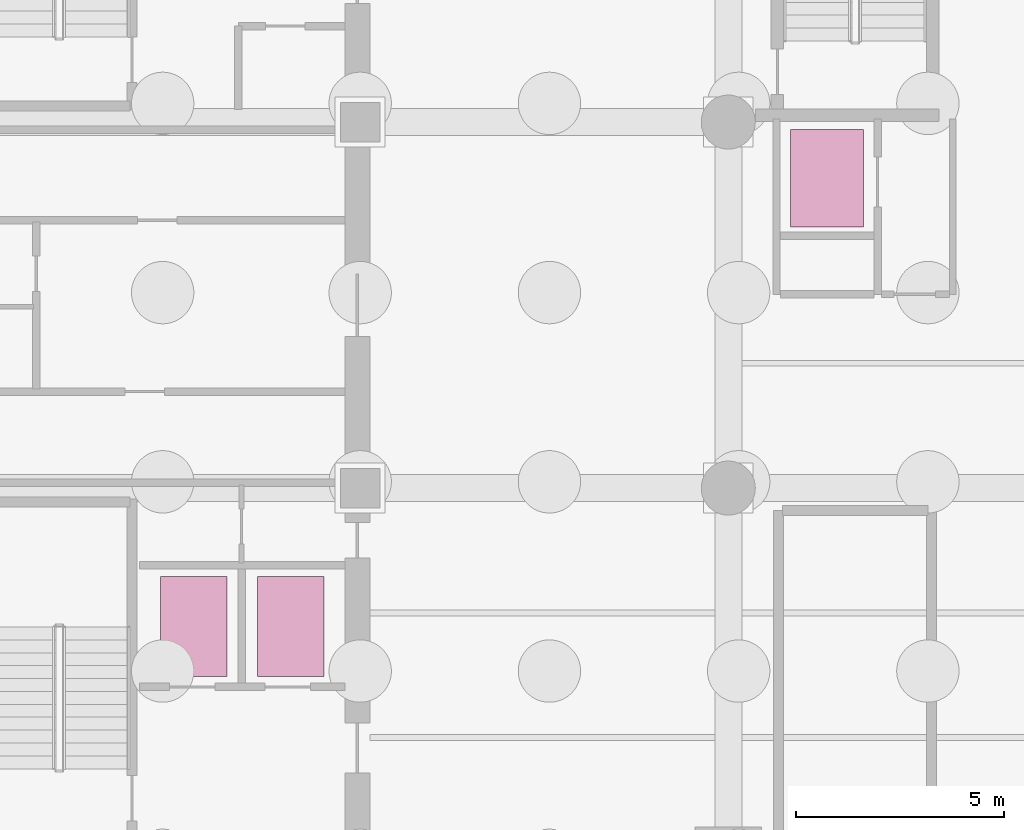
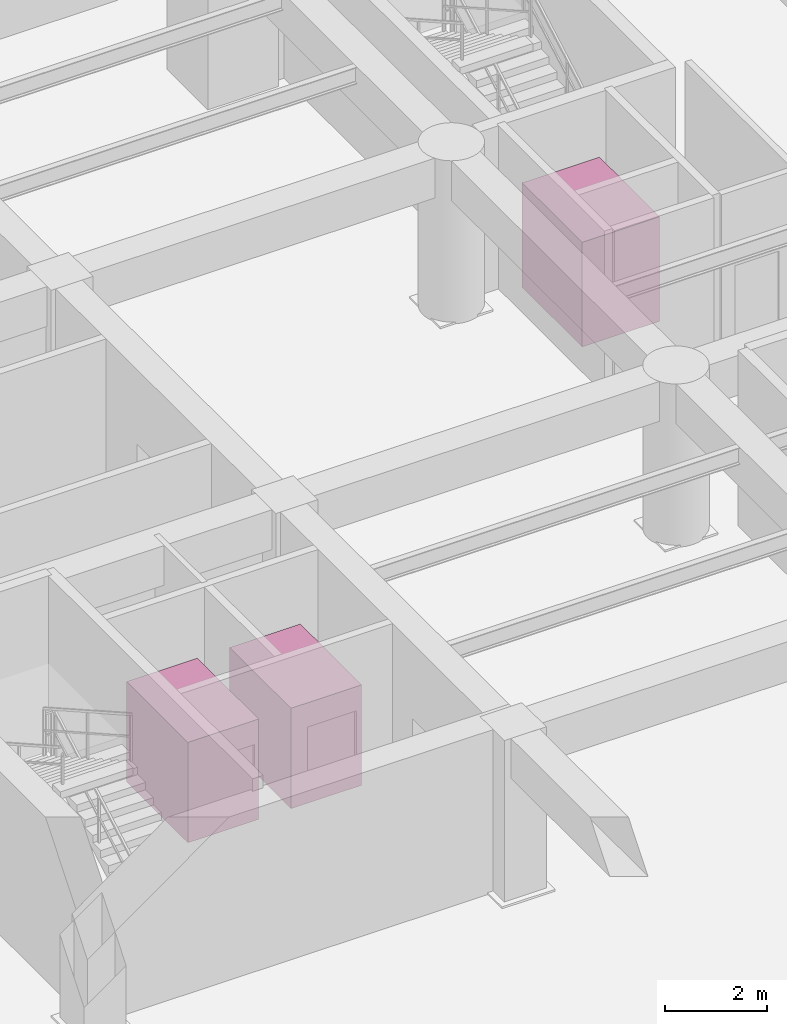
# One storey, part 9 of 9: 3 transport elements.
"""IFC4 building model written with IfcOpenShell, lengths in metres."""

from ifc_helpers import new_model, si_unit, direction, frame, origin, origin_2d, place, context, subcontext, project, spatial, rectangle, extrude, material, type_object, element, save


model = new_model("IFC4")

# Units and contexts
model_context = context("Model", 3, precision=1e-05, world=origin(), true_north=direction((0.0, 1.0)))
body_context = subcontext(model_context, "Body", "Model", "MODEL_VIEW")
ifc_project = project(units=[si_unit("LENGTHUNIT", "METRE"), si_unit("AREAUNIT", "SQUARE_METRE"), si_unit("VOLUMEUNIT", "CUBIC_METRE"), si_unit("PLANEANGLEUNIT", "RADIAN"), si_unit("MASSUNIT", "GRAM", prefix="KILO")], contexts=[model_context])

# Site, building, storey
site_placement = place(None, origin())
site = spatial("IfcSite", under=ifc_project, at=site_placement, CompositionType="ELEMENT")
building_placement = place(site_placement, origin())
building = spatial("IfcBuilding", under=site, at=building_placement, Name="Kundavana Baori Tower", CompositionType="ELEMENT")
storey_placement = place(building_placement, frame((0.0, 0.0, -8.39990234375)))
storey = spatial("IfcBuildingStorey", under=building, at=storey_placement, Name="B02", CompositionType="ELEMENT", Elevation=-8.39990234375)

# Transport elements
ifc_material_1 = material(Name="Galvanised Steel Fire-Rated Door Leaf", Category="steel")
transport_element_type_1 = type_object("IfcTransportElementType", Name="LFT-FF-1600", PredefinedType="ELEVATOR", material=ifc_material_1)
for number, where, z_axis, x_axis, name in (
    (1, (20.949951171875, 20.875, 0.0), (0.0, 0.0, 1.0), (1.0, 0.0, 0.0), "Firefighting Lift FFL-1"),
    (2, (23.280029296875, 20.875, 0.0), (0.0, 0.0, 1.0), (1.0, 0.0, 0.0), "Firefighting Lift FFL-2"),
):
    element("IfcTransportElement", number, at=place(storey_placement, frame(where, z_axis=z_axis, x_axis=x_axis)), inside=storey, type_object=transport_element_type_1, Name=name, PredefinedType="ELEVATOR", context=body_context, shape_type="SweptSolid", body=[
        extrude(rectangle(XDim=1.60009765625, YDim=2.39990234375, at=origin_2d()), origin(), (0.0, 0.0, 1.0), 2.39990234375),
    ])
ifc_material_2 = material(Name="Galvanised Steel Fire-Rated Door Leaf", Category="steel")
transport_element_type_2 = type_object("IfcTransportElementType", Name="LFT-SRV-2500", PredefinedType="ELEVATOR", material=ifc_material_2)
transport_element_placement = place(storey_placement, frame((36.175048828125, 31.64990234375, 0.0), z_axis=(0.0, 0.0, 1.0), x_axis=(1.0, 0.0, 0.0)))
element("IfcTransportElement", 3, at=transport_element_placement, inside=storey, type_object=transport_element_type_2, Name="Goods Service Lift SVL-1", PredefinedType="ELEVATOR", context=body_context, shape_type="SweptSolid", body=[
    extrude(rectangle(XDim=1.75, YDim=2.35009765625, at=origin_2d()), origin(), (0.0, 0.0, 1.0), 2.5),
])

save(model, "model.ifc")
